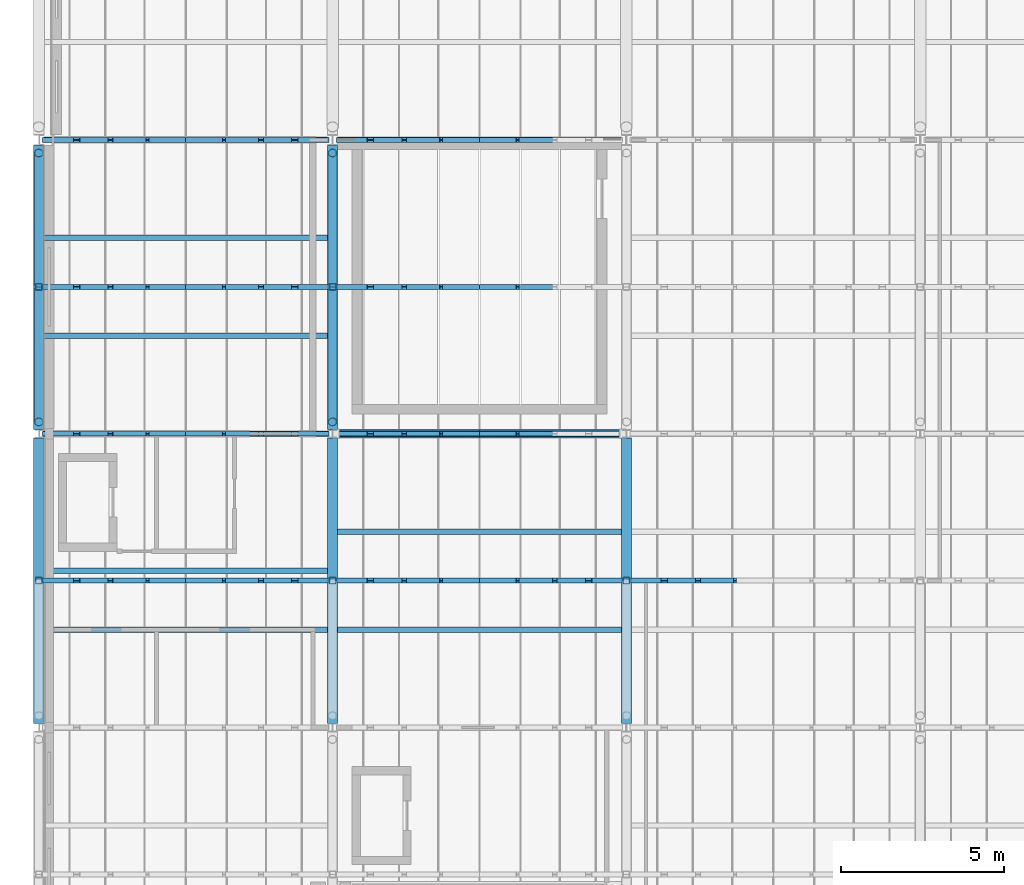
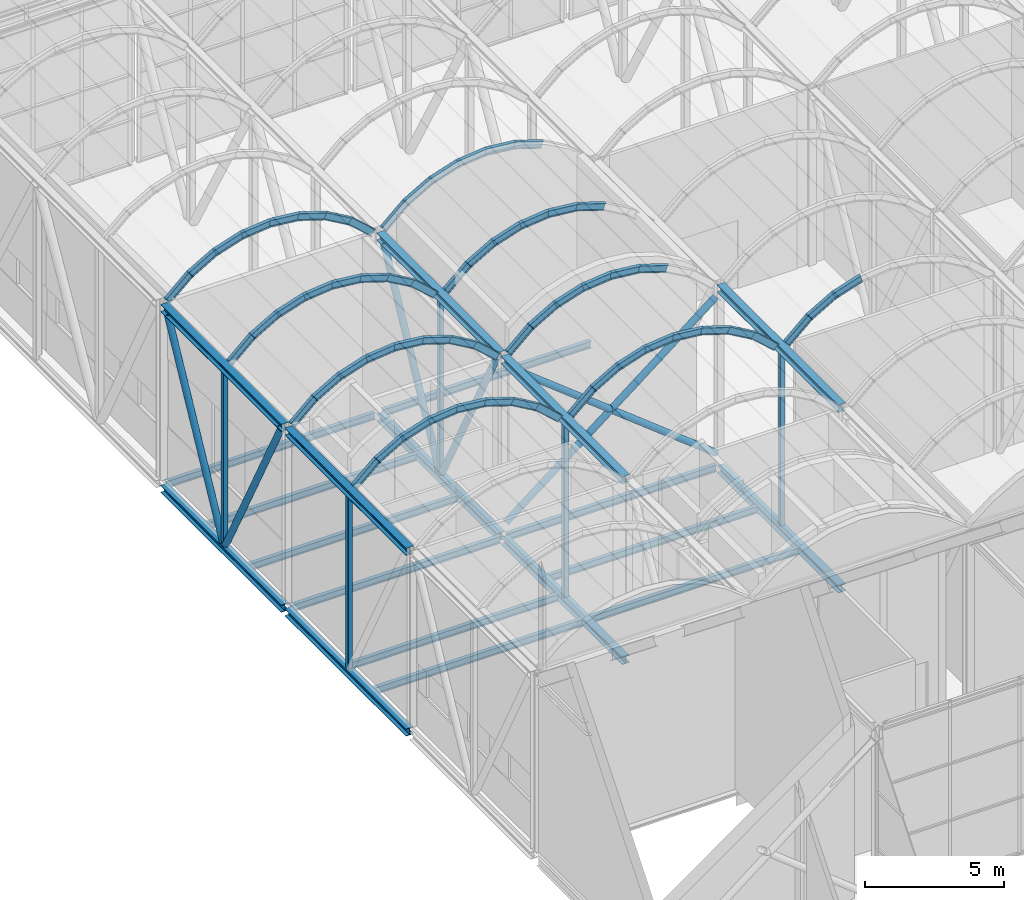
# One storey, part 96 of 144: 72 members, 20 beams.
"""IFC4 building model written with IfcOpenShell, lengths in metres."""

from ifc_helpers import new_model, si_unit, direction, frame, origin, origin_2d, place, context, subcontext, project, spatial, hollow_rectangle, hollow_circle, i_section, extrude, material, material_profile, profile_set, type_object, element, save


model = new_model("IFC4")

# Units and contexts
model_context = context("Model", 3, precision=1e-05, world=origin(), true_north=direction((0.0, 1.0)))
body_context = subcontext(model_context, "Body", "Model", "MODEL_VIEW")
ifc_project = project(units=[si_unit("LENGTHUNIT", "METRE"), si_unit("AREAUNIT", "SQUARE_METRE"), si_unit("VOLUMEUNIT", "CUBIC_METRE"), si_unit("PLANEANGLEUNIT", "RADIAN"), si_unit("MASSUNIT", "GRAM", prefix="KILO")], contexts=[model_context])

# Site, building, storey
site_placement = place(None, origin())
site = spatial("IfcSite", under=ifc_project, at=site_placement, CompositionType="ELEMENT")
building_placement = place(site_placement, origin())
building = spatial("IfcBuilding", under=site, at=building_placement, Name="Shorebreak Coast Museum", CompositionType="ELEMENT")
storey_placement = place(building_placement, frame((0.0, 0.0, 36.0)))
storey = spatial("IfcBuildingStorey", under=building, at=storey_placement, Name="L06", CompositionType="ELEMENT", Elevation=36.0)

# Beams
ifc_material_1 = material(Name="Steel Grade 300", Category="steel")
ifc_material_profile_1 = material_profile(ifc_material_1, i_section(OverallWidth=0.166015625, OverallDepth=0.30712890625, WebThickness=0.006591796875, FlangeThickness=0.01171875, FilletRadius=0.011474609375, at=origin_2d()), Name="310UB46.2")
ifc_profile_set_1 = profile_set([ifc_material_profile_1], Name="Steel Grade 300")
beam_type_1 = type_object("IfcBeamType", Name="Floor girder east-west 310UB46.2", PredefinedType="BEAM", material=ifc_profile_set_1)
for number, where, z_axis, x_axis, name in (
    (1, (54.126953125, 108.0, -0.32861328125), (1.0, 0.0, 0.0), (0.0, 1.0, 0.0), "Floor girder east-west L06 7N"),
    (2, (63.126953125, 108.0, -0.32861328125), (1.0, 0.0, 0.0), (0.0, 1.0, 0.0), "Floor girder east-west L06 8N"),
):
    element("IfcBeam", number, at=place(storey_placement, frame(where, z_axis=z_axis, x_axis=x_axis)), inside=storey, type_object=beam_type_1, Name=name, PredefinedType="BEAM", context=body_context, shape_type="SweptSolid", body=[
        extrude(i_section(OverallWidth=0.166015625, OverallDepth=0.30712890625, WebThickness=0.006591796875, FlangeThickness=0.01171875, FilletRadius=0.011474609375, at=origin_2d()), origin(), (0.0, 0.0, 1.0), 8.74609375),
    ])
for number, where, z_axis, x_axis, name in (
    (3, (54.155517578125, 117.0, -0.32861328125), (1.0, 0.0, 0.0), (0.0, 1.0, 0.0), "Floor girder east-west L06 7P"),
    (4, (63.155517578125, 117.0, -0.32861328125), (1.0, 0.0, 0.0), (0.0, 1.0, 0.0), "Floor girder east-west L06 8P"),
):
    element("IfcBeam", number, at=place(storey_placement, frame(where, z_axis=z_axis, x_axis=x_axis)), inside=storey, type_object=beam_type_1, Name=name, PredefinedType="BEAM", context=body_context, shape_type="SweptSolid", body=[
        extrude(i_section(OverallWidth=0.166015625, OverallDepth=0.30712890625, WebThickness=0.006591796875, FlangeThickness=0.01171875, FilletRadius=0.011474609375, at=origin_2d()), origin(), (0.0, 0.0, 1.0), 8.68896484375),
    ])
ifc_material_2 = material(Name="Steel Grade 300", Category="steel")
ifc_material_profile_2 = material_profile(ifc_material_2, i_section(OverallWidth=0.1650390625, OverallDepth=0.303955078125, WebThickness=0.006103515625, FlangeThickness=0.01025390625, FilletRadius=0.011474609375, at=origin_2d()), Name="310UB40.4")
ifc_profile_set_2 = profile_set([ifc_material_profile_2], Name="Steel Grade 300")
beam_type_2 = type_object("IfcBeamType", Name="Floor joist 310UB40.4", PredefinedType="JOIST", material=ifc_profile_set_2)
for number, where, z_axis, x_axis, name in (
    (5, (54.155517578125, 102.0, -0.326904296875), (1.0, 0.0, 0.0), (0.0, 1.0, 0.0), "Floor joist L06 bay 7M at 3000 mm"),
    (6, (54.155517578125, 103.800048828125, -0.326904296875), (1.0, 0.0, 0.0), (0.0, 1.0, 0.0), "Floor joist L06 bay 7M at 4800 mm"),
    (7, (63.155517578125, 102.0, -0.326904296875), (1.0, 0.0, 0.0), (0.0, 1.0, 0.0), "Floor joist L06 bay 8M at 3000 mm"),
    (8, (63.155517578125, 105.0, -0.326904296875), (1.0, 0.0, 0.0), (0.0, 1.0, 0.0), "Floor joist L06 bay 8M at 6000 mm"),
    (9, (54.155517578125, 111.0, -0.326904296875), (1.0, 0.0, 0.0), (0.0, 1.0, 0.0), "Floor joist L06 bay 7N at 3000 mm"),
    (10, (54.155517578125, 114.0, -0.326904296875), (1.0, 0.0, 0.0), (0.0, 1.0, 0.0), "Floor joist L06 bay 7N at 6000 mm"),
):
    element("IfcBeam", number, at=place(storey_placement, frame(where, z_axis=z_axis, x_axis=x_axis)), inside=storey, type_object=beam_type_2, Name=name, PredefinedType="JOIST", context=body_context, shape_type="SweptSolid", body=[
        extrude(i_section(OverallWidth=0.1650390625, OverallDepth=0.303955078125, WebThickness=0.006103515625, FlangeThickness=0.01025390625, FilletRadius=0.011474609375, at=origin_2d()), origin(), (0.0, 0.0, 1.0), 8.68896484375),
    ])
ifc_material_3 = material(Name="Steel Grade 300", Category="steel")
ifc_material_profile_3 = material_profile(ifc_material_3, i_section(OverallWidth=0.30908203125, OverallDepth=0.320556640625, WebThickness=0.013916015625, FlangeThickness=0.021728515625, FilletRadius=0.0166015625, at=origin_2d()), Name="310UC137")
ifc_profile_set_3 = profile_set([ifc_material_profile_3], Name="Steel Grade 300")
beam_type_3 = type_object("IfcBeamType", Name="Transfer truss chord 310UC137", PredefinedType="BEAM", material=ifc_profile_set_3)
beam_1_placement = place(storey_placement, frame((54.0, 99.126953125, -0.335205078125), z_axis=(0.0, 1.0, 0.0), x_axis=(-1.0, 0.0, 0.0)))
element("IfcBeam", 11, at=beam_1_placement, inside=storey, type_object=beam_type_3, Name="Transfer truss TR1 chord C06", PredefinedType="BEAM", context=body_context, shape_type="SweptSolid", body=[
    extrude(i_section(OverallWidth=0.30908203125, OverallDepth=0.320556640625, WebThickness=0.013916015625, FlangeThickness=0.021728515625, FilletRadius=0.0166015625, at=origin_2d()), origin(), (0.0, 0.0, 1.0), 8.74609375),
])
beam_2_placement = place(storey_placement, frame((54.0, 108.126953125, -0.335205078125), z_axis=(0.0, 1.0, 0.0), x_axis=(-1.0, 0.0, 0.0)))
element("IfcBeam", 12, at=beam_2_placement, inside=storey, type_object=beam_type_3, Name="Transfer truss TR1 chord C07", PredefinedType="BEAM", context=body_context, shape_type="SweptSolid", body=[
    extrude(i_section(OverallWidth=0.30908203125, OverallDepth=0.320556640625, WebThickness=0.013916015625, FlangeThickness=0.021728515625, FilletRadius=0.0166015625, at=origin_2d()), origin(), (0.0, 0.0, 1.0), 8.70947265625),
])
beam_3_placement = place(storey_placement, frame((63.0, 99.126953125, -0.335205078125), z_axis=(0.0, 1.0, 0.0), x_axis=(-1.0, 0.0, 0.0)))
element("IfcBeam", 13, at=beam_3_placement, inside=storey, type_object=beam_type_3, Name="Transfer truss TR2 chord C06", PredefinedType="BEAM", context=body_context, shape_type="SweptSolid", body=[
    extrude(i_section(OverallWidth=0.30908203125, OverallDepth=0.320556640625, WebThickness=0.013916015625, FlangeThickness=0.021728515625, FilletRadius=0.0166015625, at=origin_2d()), origin(), (0.0, 0.0, 1.0), 8.74609375),
])
beam_4_placement = place(storey_placement, frame((63.0, 108.126953125, -0.335205078125), z_axis=(0.0, 1.0, 0.0), x_axis=(-1.0, 0.0, 0.0)))
element("IfcBeam", 14, at=beam_4_placement, inside=storey, type_object=beam_type_3, Name="Transfer truss TR2 chord C07", PredefinedType="BEAM", context=body_context, shape_type="SweptSolid", body=[
    extrude(i_section(OverallWidth=0.30908203125, OverallDepth=0.320556640625, WebThickness=0.013916015625, FlangeThickness=0.021728515625, FilletRadius=0.0166015625, at=origin_2d()), origin(), (0.0, 0.0, 1.0), 8.70947265625),
])
beam_5_placement = place(storey_placement, frame((72.0, 99.126953125, -0.335205078125), z_axis=(0.0, 1.0, 0.0), x_axis=(-1.0, 0.0, 0.0)))
element("IfcBeam", 15, at=beam_5_placement, inside=storey, type_object=beam_type_3, Name="Transfer truss TR3 chord C06", PredefinedType="BEAM", context=body_context, shape_type="SweptSolid", body=[
    extrude(i_section(OverallWidth=0.30908203125, OverallDepth=0.320556640625, WebThickness=0.013916015625, FlangeThickness=0.021728515625, FilletRadius=0.0166015625, at=origin_2d()), origin(), (0.0, 0.0, 1.0), 8.74609375),
])
ifc_material_4 = material(Name="Steel Grade 300", Category="steel")
ifc_material_profile_4 = material_profile(ifc_material_4, i_section(OverallWidth=0.31103515625, OverallDepth=0.3271484375, WebThickness=0.015625, FlangeThickness=0.02490234375, FilletRadius=0.0166015625, at=origin_2d()), Name="310UC158")
ifc_profile_set_4 = profile_set([ifc_material_profile_4], Name="Steel Grade 300")
beam_type_4 = type_object("IfcBeamType", Name="Transfer truss chord 310UC158", PredefinedType="BEAM", material=ifc_profile_set_4)
beam_6_placement = place(storey_placement, frame((54.0, 99.126953125, 7.621337890625), z_axis=(0.0, 1.0, 0.0), x_axis=(-1.0, 0.0, 0.0)))
element("IfcBeam", 16, at=beam_6_placement, inside=storey, type_object=beam_type_4, Name="Transfer truss TR1 chord C10", PredefinedType="BEAM", context=body_context, shape_type="SweptSolid", body=[
    extrude(i_section(OverallWidth=0.31103515625, OverallDepth=0.3271484375, WebThickness=0.015625, FlangeThickness=0.02490234375, FilletRadius=0.0166015625, at=origin_2d()), origin(), (0.0, 0.0, 1.0), 8.74609375),
])
beam_7_placement = place(storey_placement, frame((54.0, 108.126953125, 7.621337890625), z_axis=(0.0, 1.0, 0.0), x_axis=(-1.0, 0.0, 0.0)))
element("IfcBeam", 17, at=beam_7_placement, inside=storey, type_object=beam_type_4, Name="Transfer truss TR1 chord C11", PredefinedType="BEAM", context=body_context, shape_type="SweptSolid", body=[
    extrude(i_section(OverallWidth=0.31103515625, OverallDepth=0.3271484375, WebThickness=0.015625, FlangeThickness=0.02490234375, FilletRadius=0.0166015625, at=origin_2d()), origin(), (0.0, 0.0, 1.0), 8.70947265625),
])
beam_8_placement = place(storey_placement, frame((63.0, 99.126953125, 7.621337890625), z_axis=(0.0, 1.0, 0.0), x_axis=(-1.0, 0.0, 0.0)))
element("IfcBeam", 18, at=beam_8_placement, inside=storey, type_object=beam_type_4, Name="Transfer truss TR2 chord C10", PredefinedType="BEAM", context=body_context, shape_type="SweptSolid", body=[
    extrude(i_section(OverallWidth=0.31103515625, OverallDepth=0.3271484375, WebThickness=0.015625, FlangeThickness=0.02490234375, FilletRadius=0.0166015625, at=origin_2d()), origin(), (0.0, 0.0, 1.0), 8.74609375),
])
beam_9_placement = place(storey_placement, frame((63.0, 108.126953125, 7.621337890625), z_axis=(0.0, 1.0, 0.0), x_axis=(-1.0, 0.0, 0.0)))
element("IfcBeam", 19, at=beam_9_placement, inside=storey, type_object=beam_type_4, Name="Transfer truss TR2 chord C11", PredefinedType="BEAM", context=body_context, shape_type="SweptSolid", body=[
    extrude(i_section(OverallWidth=0.31103515625, OverallDepth=0.3271484375, WebThickness=0.015625, FlangeThickness=0.02490234375, FilletRadius=0.0166015625, at=origin_2d()), origin(), (0.0, 0.0, 1.0), 8.70947265625),
])
beam_10_placement = place(storey_placement, frame((72.0, 99.126953125, 7.621337890625), z_axis=(0.0, 1.0, 0.0), x_axis=(-1.0, 0.0, 0.0)))
element("IfcBeam", 20, at=beam_10_placement, inside=storey, type_object=beam_type_4, Name="Transfer truss TR3 chord C10", PredefinedType="BEAM", context=body_context, shape_type="SweptSolid", body=[
    extrude(i_section(OverallWidth=0.31103515625, OverallDepth=0.3271484375, WebThickness=0.015625, FlangeThickness=0.02490234375, FilletRadius=0.0166015625, at=origin_2d()), origin(), (0.0, 0.0, 1.0), 8.74609375),
])

# Members
ifc_material_5 = material(Name="Steel Grade C350L0", Category="steel")
ifc_material_profile_5 = material_profile(ifc_material_5, hollow_circle(Radius=0.136474609375, WallThickness=0.00927734375, at=origin_2d()), Name="273.1x9.3 CHS")
ifc_profile_set_5 = profile_set([ifc_material_profile_5], Name="Steel Grade C350L0")
member_type_1 = type_object("IfcMemberType", Name="Transfer truss diagonal 273.1x9.3 CHS", PredefinedType="BRACE", material=ifc_profile_set_5)
member_1_placement = place(storey_placement, frame((54.0, 112.414794921875, -0.175048828125), z_axis=(0.0, -0.468802638879, 0.883302941114), x_axis=(1.0, 0.0, 0.0)))
element("IfcMember", 21, at=member_1_placement, inside=storey, type_object=member_type_1, Name="Transfer truss TR1 diagonal D13", PredefinedType="BRACE", context=body_context, shape_type="SweptSolid", body=[
    extrude(hollow_circle(Radius=0.136474609375, WallThickness=0.00927734375, at=origin_2d()), origin(), (0.0, 0.0, 1.0), 8.64111328125),
])
member_2_placement = place(storey_placement, frame((54.0, 112.584228515625, -0.175048828125), z_axis=(0.0, 0.465641431585, 0.884973478242), x_axis=(-1.0, 0.0, 0.0)))
element("IfcMember", 22, at=member_2_placement, inside=storey, type_object=member_type_1, Name="Transfer truss TR1 diagonal D14", PredefinedType="BRACE", context=body_context, shape_type="SweptSolid", body=[
    extrude(hollow_circle(Radius=0.136474609375, WallThickness=0.00927734375, at=origin_2d()), origin(), (0.0, 0.0, 1.0), 8.625),
])
member_3_placement = place(storey_placement, frame((63.0, 112.414794921875, -0.175048828125), z_axis=(0.0, -0.468802638879, 0.883302941114), x_axis=(1.0, 0.0, 0.0)))
element("IfcMember", 23, at=member_3_placement, inside=storey, type_object=member_type_1, Name="Transfer truss TR2 diagonal D13", PredefinedType="BRACE", context=body_context, shape_type="SweptSolid", body=[
    extrude(hollow_circle(Radius=0.136474609375, WallThickness=0.00927734375, at=origin_2d()), origin(), (0.0, 0.0, 1.0), 8.64111328125),
])
member_4_placement = place(storey_placement, frame((63.0, 112.584228515625, -0.175048828125), z_axis=(0.0, 0.465641431585, 0.884973478242), x_axis=(-1.0, 0.0, 0.0)))
element("IfcMember", 24, at=member_4_placement, inside=storey, type_object=member_type_1, Name="Transfer truss TR2 diagonal D14", PredefinedType="BRACE", context=body_context, shape_type="SweptSolid", body=[
    extrude(hollow_circle(Radius=0.136474609375, WallThickness=0.00927734375, at=origin_2d()), origin(), (0.0, 0.0, 1.0), 8.625),
])
ifc_material_6 = material(Name="Steel Grade C450L0", Category="steel")
ifc_material_profile_6 = material_profile(ifc_material_6, hollow_rectangle(XDim=0.199951171875, YDim=0.199951171875, WallThickness=0.009033203125, InnerFilletRadius=0.013427734375, OuterFilletRadius=0.0224609375, at=origin_2d()), Name="200x200x9.0 SHS")
ifc_profile_set_6 = profile_set([ifc_material_profile_6], Name="Steel Grade C450L0")
member_type_2 = type_object("IfcMemberType", Name="Transfer truss strut 200x200x9.0 SHS", PredefinedType="STRUT", material=ifc_profile_set_6)
for number, where, z_axis, x_axis, name in (
    (25, (54.0, 103.5, -0.175048828125), (0.0, 0.0, 1.0), (1.0, 0.0, 0.0), "Transfer truss TR1 strut V09"),
    (26, (54.0, 112.5, -0.175048828125), (0.0, 0.0, 1.0), (1.0, 0.0, 0.0), "Transfer truss TR1 strut V10"),
    (27, (63.0, 103.5, -0.175048828125), (0.0, 0.0, 1.0), (1.0, 0.0, 0.0), "Transfer truss TR2 strut V09"),
    (28, (63.0, 112.5, -0.175048828125), (0.0, 0.0, 1.0), (1.0, 0.0, 0.0), "Transfer truss TR2 strut V10"),
    (29, (72.0, 103.5, -0.175048828125), (0.0, 0.0, 1.0), (1.0, 0.0, 0.0), "Transfer truss TR3 strut V09"),
):
    element("IfcMember", number, at=place(storey_placement, frame(where, z_axis=z_axis, x_axis=x_axis)), inside=storey, type_object=member_type_2, Name=name, PredefinedType="STRUT", context=body_context, shape_type="SweptSolid", body=[
        extrude(hollow_rectangle(XDim=0.199951171875, YDim=0.199951171875, WallThickness=0.009033203125, InnerFilletRadius=0.013427734375, OuterFilletRadius=0.0224609375, at=origin_2d()), origin(), (0.0, 0.0, 1.0), 7.6328125),
    ])
ifc_material_7 = material(Name="Steel Grade 300", Category="steel")
ifc_material_profile_7 = material_profile(ifc_material_7, i_section(OverallWidth=0.14892578125, OverallDepth=0.298095703125, WebThickness=0.005615234375, FlangeThickness=0.008056640625, FilletRadius=0.012939453125, at=origin_2d()), Name="310UB32.0")
ifc_profile_set_7 = profile_set([ifc_material_profile_7], Name="Steel Grade 300")
member_type_3 = type_object("IfcMemberType", Name="Vault arch rib 310UB32.0", PredefinedType="RAFTER", material=ifc_profile_set_7)
for number, where, z_axis, x_axis, name in (
    (30, (54.21240234375, 103.5, 7.7216796875), (0.743894909598, 0.0, 0.668296613394), (0.0, 1.0, 0.0), "Vault arch rib V1 line 03 facet 1"),
    (31, (54.21240234375, 108.0, 7.7216796875), (0.743894909598, 0.0, 0.668296613394), (0.0, 1.0, 0.0), "Vault arch rib V1 line 04 facet 1"),
    (32, (54.21240234375, 112.5, 7.7216796875), (0.743894909598, 0.0, 0.668296613394), (0.0, 1.0, 0.0), "Vault arch rib V1 line 05 facet 1"),
    (33, (54.21240234375, 117.0, 7.7216796875), (0.743894909598, 0.0, 0.668296613394), (0.0, 1.0, 0.0), "Vault arch rib V1 line 06 facet 1"),
):
    element("IfcMember", number, at=place(storey_placement, frame(where, z_axis=z_axis, x_axis=x_axis)), inside=storey, type_object=member_type_3, Name=name, PredefinedType="RAFTER", context=body_context, shape_type="SweptSolid", body=[
        extrude(i_section(OverallWidth=0.14892578125, OverallDepth=0.298095703125, WebThickness=0.005615234375, FlangeThickness=0.008056640625, FilletRadius=0.012939453125, at=origin_2d()), origin(), (0.0, 0.0, 1.0), 1.2724609375),
    ])
for number, where, z_axis, x_axis, name in (
    (34, (55.1337890625, 103.5, 8.5537109375), (0.866444596228, 0.0, 0.499273233478), (0.0, 1.0, 0.0), "Vault arch rib V1 line 03 facet 2"),
    (35, (55.1337890625, 108.0, 8.5537109375), (0.866444596228, 0.0, 0.499273233478), (0.0, 1.0, 0.0), "Vault arch rib V1 line 04 facet 2"),
    (36, (55.1337890625, 112.5, 8.5537109375), (0.866444596228, 0.0, 0.499273233478), (0.0, 1.0, 0.0), "Vault arch rib V1 line 05 facet 2"),
    (37, (55.1337890625, 117.0, 8.5537109375), (0.866444596228, 0.0, 0.499273233478), (0.0, 1.0, 0.0), "Vault arch rib V1 line 06 facet 2"),
    (38, (56.165283203125, 103.5, 9.152099609375), (0.951225984169, 0.0, 0.308494938436), (0.0, 1.0, 0.0), "Vault arch rib V1 line 03 facet 3"),
    (39, (56.165283203125, 108.0, 9.152099609375), (0.951225984169, 0.0, 0.308494938436), (0.0, 1.0, 0.0), "Vault arch rib V1 line 04 facet 3"),
    (40, (56.165283203125, 112.5, 9.152099609375), (0.951225984169, 0.0, 0.308494938436), (0.0, 1.0, 0.0), "Vault arch rib V1 line 05 facet 3"),
    (41, (56.165283203125, 117.0, 9.152099609375), (0.951225984169, 0.0, 0.308494938436), (0.0, 1.0, 0.0), "Vault arch rib V1 line 06 facet 3"),
    (42, (57.298828125, 103.5, 9.52294921875), (0.994539296345, 0.0, 0.104362771266), (0.0, 1.0, 0.0), "Vault arch rib V1 line 03 facet 4"),
    (43, (57.298828125, 108.0, 9.52294921875), (0.994539296345, 0.0, 0.104362771266), (0.0, 1.0, 0.0), "Vault arch rib V1 line 04 facet 4"),
    (44, (57.298828125, 112.5, 9.52294921875), (0.994539296345, 0.0, 0.104362771266), (0.0, 1.0, 0.0), "Vault arch rib V1 line 05 facet 4"),
    (45, (57.298828125, 117.0, 9.52294921875), (0.994539296345, 0.0, 0.104362771266), (0.0, 1.0, 0.0), "Vault arch rib V1 line 06 facet 4"),
    (46, (58.484375, 103.5, 9.650634765625), (0.994539296345, 0.0, -0.104362771266), (0.0, 1.0, 0.0), "Vault arch rib V1 line 03 facet 5"),
    (47, (58.484375, 108.0, 9.650634765625), (0.994539296345, 0.0, -0.104362771266), (0.0, 1.0, 0.0), "Vault arch rib V1 line 04 facet 5"),
    (48, (58.484375, 112.5, 9.650634765625), (0.994539296345, 0.0, -0.104362771266), (0.0, 1.0, 0.0), "Vault arch rib V1 line 05 facet 5"),
    (49, (58.484375, 117.0, 9.650634765625), (0.994539296345, 0.0, -0.104362771266), (0.0, 1.0, 0.0), "Vault arch rib V1 line 06 facet 5"),
    (50, (59.6708984375, 103.5, 9.529541015625), (0.951225984169, 0.0, -0.308494938436), (0.0, 1.0, 0.0), "Vault arch rib V1 line 03 facet 6"),
    (51, (59.6708984375, 108.0, 9.529541015625), (0.951225984169, 0.0, -0.308494938436), (0.0, 1.0, 0.0), "Vault arch rib V1 line 04 facet 6"),
    (52, (59.6708984375, 112.5, 9.529541015625), (0.951225984169, 0.0, -0.308494938436), (0.0, 1.0, 0.0), "Vault arch rib V1 line 05 facet 6"),
    (53, (59.6708984375, 117.0, 9.529541015625), (0.951225984169, 0.0, -0.308494938436), (0.0, 1.0, 0.0), "Vault arch rib V1 line 06 facet 6"),
    (54, (60.80615234375, 103.5, 9.16455078125), (0.866444596228, 0.0, -0.499273233478), (0.0, 1.0, 0.0), "Vault arch rib V1 line 03 facet 7"),
    (55, (60.80615234375, 108.0, 9.16455078125), (0.866444596228, 0.0, -0.499273233478), (0.0, 1.0, 0.0), "Vault arch rib V1 line 04 facet 7"),
    (56, (60.80615234375, 112.5, 9.16455078125), (0.866444596228, 0.0, -0.499273233478), (0.0, 1.0, 0.0), "Vault arch rib V1 line 05 facet 7"),
    (57, (60.80615234375, 117.0, 9.16455078125), (0.866444596228, 0.0, -0.499273233478), (0.0, 1.0, 0.0), "Vault arch rib V1 line 06 facet 7"),
):
    element("IfcMember", number, at=place(storey_placement, frame(where, z_axis=z_axis, x_axis=x_axis)), inside=storey, type_object=member_type_3, Name=name, PredefinedType="RAFTER", context=body_context, shape_type="SweptSolid", body=[
        extrude(i_section(OverallWidth=0.14892578125, OverallDepth=0.298095703125, WebThickness=0.005615234375, FlangeThickness=0.008056640625, FilletRadius=0.012939453125, at=origin_2d()), origin(), (0.0, 0.0, 1.0), 1.223388671875),
    ])
for number, where, z_axis, x_axis, name in (
    (58, (61.841064453125, 103.5, 8.572021484375), (0.743894909598, 0.0, -0.668296613394), (0.0, 1.0, 0.0), "Vault arch rib V1 line 03 facet 8"),
    (59, (61.841064453125, 108.0, 8.572021484375), (0.743894909598, 0.0, -0.668296613394), (0.0, 1.0, 0.0), "Vault arch rib V1 line 04 facet 8"),
    (60, (61.841064453125, 112.5, 8.572021484375), (0.743894909598, 0.0, -0.668296613394), (0.0, 1.0, 0.0), "Vault arch rib V1 line 05 facet 8"),
    (61, (61.841064453125, 117.0, 8.572021484375), (0.743894909598, 0.0, -0.668296613394), (0.0, 1.0, 0.0), "Vault arch rib V1 line 06 facet 8"),
    (62, (63.21240234375, 103.5, 7.7216796875), (0.743894909598, 0.0, 0.668296613394), (0.0, 1.0, 0.0), "Vault arch rib V2 line 03 facet 1"),
    (63, (63.21240234375, 108.0, 7.7216796875), (0.743894909598, 0.0, 0.668296613394), (0.0, 1.0, 0.0), "Vault arch rib V2 line 04 facet 1"),
    (64, (63.21240234375, 112.5, 7.7216796875), (0.743894909598, 0.0, 0.668296613394), (0.0, 1.0, 0.0), "Vault arch rib V2 line 05 facet 1"),
    (65, (63.21240234375, 117.0, 7.7216796875), (0.743894909598, 0.0, 0.668296613394), (0.0, 1.0, 0.0), "Vault arch rib V2 line 06 facet 1"),
):
    element("IfcMember", number, at=place(storey_placement, frame(where, z_axis=z_axis, x_axis=x_axis)), inside=storey, type_object=member_type_3, Name=name, PredefinedType="RAFTER", context=body_context, shape_type="SweptSolid", body=[
        extrude(i_section(OverallWidth=0.14892578125, OverallDepth=0.298095703125, WebThickness=0.005615234375, FlangeThickness=0.008056640625, FilletRadius=0.012939453125, at=origin_2d()), origin(), (0.0, 0.0, 1.0), 1.2724609375),
    ])
for number, where, z_axis, x_axis, name in (
    (66, (64.1337890625, 103.5, 8.5537109375), (0.866444596228, 0.0, 0.499273233478), (0.0, 1.0, 0.0), "Vault arch rib V2 line 03 facet 2"),
    (67, (64.1337890625, 108.0, 8.5537109375), (0.866444596228, 0.0, 0.499273233478), (0.0, 1.0, 0.0), "Vault arch rib V2 line 04 facet 2"),
    (68, (64.1337890625, 112.5, 8.5537109375), (0.866444596228, 0.0, 0.499273233478), (0.0, 1.0, 0.0), "Vault arch rib V2 line 05 facet 2"),
    (69, (64.1337890625, 117.0, 8.5537109375), (0.866444596228, 0.0, 0.499273233478), (0.0, 1.0, 0.0), "Vault arch rib V2 line 06 facet 2"),
    (70, (65.165283203125, 103.5, 9.152099609375), (0.951225984169, 0.0, 0.308494938436), (0.0, 1.0, 0.0), "Vault arch rib V2 line 03 facet 3"),
    (71, (65.165283203125, 108.0, 9.152099609375), (0.951225984169, 0.0, 0.308494938436), (0.0, 1.0, 0.0), "Vault arch rib V2 line 04 facet 3"),
    (72, (65.165283203125, 112.5, 9.152099609375), (0.951225984169, 0.0, 0.308494938436), (0.0, 1.0, 0.0), "Vault arch rib V2 line 05 facet 3"),
    (73, (65.165283203125, 117.0, 9.152099609375), (0.951225984169, 0.0, 0.308494938436), (0.0, 1.0, 0.0), "Vault arch rib V2 line 06 facet 3"),
    (74, (66.298828125, 103.5, 9.52294921875), (0.994539296345, 0.0, 0.104362771266), (0.0, 1.0, 0.0), "Vault arch rib V2 line 03 facet 4"),
    (75, (66.298828125, 108.0, 9.52294921875), (0.994539296345, 0.0, 0.104362771266), (0.0, 1.0, 0.0), "Vault arch rib V2 line 04 facet 4"),
    (76, (66.298828125, 112.5, 9.52294921875), (0.994539296345, 0.0, 0.104362771266), (0.0, 1.0, 0.0), "Vault arch rib V2 line 05 facet 4"),
    (77, (66.298828125, 117.0, 9.52294921875), (0.994539296345, 0.0, 0.104362771266), (0.0, 1.0, 0.0), "Vault arch rib V2 line 06 facet 4"),
    (78, (67.484375, 103.5, 9.650634765625), (0.994539296345, 0.0, -0.104362771266), (0.0, 1.0, 0.0), "Vault arch rib V2 line 03 facet 5"),
    (79, (67.484375, 108.0, 9.650634765625), (0.994539296345, 0.0, -0.104362771266), (0.0, 1.0, 0.0), "Vault arch rib V2 line 04 facet 5"),
    (80, (67.484375, 112.5, 9.650634765625), (0.994539296345, 0.0, -0.104362771266), (0.0, 1.0, 0.0), "Vault arch rib V2 line 05 facet 5"),
    (81, (67.484375, 117.0, 9.650634765625), (0.994539296345, 0.0, -0.104362771266), (0.0, 1.0, 0.0), "Vault arch rib V2 line 06 facet 5"),
    (82, (68.6708984375, 103.5, 9.529541015625), (0.951225984169, 0.0, -0.308494938436), (0.0, 1.0, 0.0), "Vault arch rib V2 line 03 facet 6"),
    (83, (68.6708984375, 108.0, 9.529541015625), (0.951225984169, 0.0, -0.308494938436), (0.0, 1.0, 0.0), "Vault arch rib V2 line 04 facet 6"),
    (84, (68.6708984375, 112.5, 9.529541015625), (0.951225984169, 0.0, -0.308494938436), (0.0, 1.0, 0.0), "Vault arch rib V2 line 05 facet 6"),
    (85, (68.6708984375, 117.0, 9.529541015625), (0.951225984169, 0.0, -0.308494938436), (0.0, 1.0, 0.0), "Vault arch rib V2 line 06 facet 6"),
    (86, (69.80615234375, 103.5, 9.16455078125), (0.866444596228, 0.0, -0.499273233478), (0.0, 1.0, 0.0), "Vault arch rib V2 line 03 facet 7"),
):
    element("IfcMember", number, at=place(storey_placement, frame(where, z_axis=z_axis, x_axis=x_axis)), inside=storey, type_object=member_type_3, Name=name, PredefinedType="RAFTER", context=body_context, shape_type="SweptSolid", body=[
        extrude(i_section(OverallWidth=0.14892578125, OverallDepth=0.298095703125, WebThickness=0.005615234375, FlangeThickness=0.008056640625, FilletRadius=0.012939453125, at=origin_2d()), origin(), (0.0, 0.0, 1.0), 1.223388671875),
    ])
for number, where, z_axis, x_axis, name in (
    (87, (70.841064453125, 103.5, 8.572021484375), (0.743894909598, 0.0, -0.668296613394), (0.0, 1.0, 0.0), "Vault arch rib V2 line 03 facet 8"),
    (88, (72.21240234375, 103.5, 7.7216796875), (0.743894909598, 0.0, 0.668296613394), (0.0, 1.0, 0.0), "Vault arch rib V3 line 03 facet 1"),
):
    element("IfcMember", number, at=place(storey_placement, frame(where, z_axis=z_axis, x_axis=x_axis)), inside=storey, type_object=member_type_3, Name=name, PredefinedType="RAFTER", context=body_context, shape_type="SweptSolid", body=[
        extrude(i_section(OverallWidth=0.14892578125, OverallDepth=0.298095703125, WebThickness=0.005615234375, FlangeThickness=0.008056640625, FilletRadius=0.012939453125, at=origin_2d()), origin(), (0.0, 0.0, 1.0), 1.2724609375),
    ])
for number, where, z_axis, x_axis, name in (
    (89, (73.1337890625, 103.5, 8.5537109375), (0.866444596228, 0.0, 0.499273233478), (0.0, 1.0, 0.0), "Vault arch rib V3 line 03 facet 2"),
    (90, (74.165283203125, 103.5, 9.152099609375), (0.951225984169, 0.0, 0.308494938436), (0.0, 1.0, 0.0), "Vault arch rib V3 line 03 facet 3"),
):
    element("IfcMember", number, at=place(storey_placement, frame(where, z_axis=z_axis, x_axis=x_axis)), inside=storey, type_object=member_type_3, Name=name, PredefinedType="RAFTER", context=body_context, shape_type="SweptSolid", body=[
        extrude(i_section(OverallWidth=0.14892578125, OverallDepth=0.298095703125, WebThickness=0.005615234375, FlangeThickness=0.008056640625, FilletRadius=0.012939453125, at=origin_2d()), origin(), (0.0, 0.0, 1.0), 1.223388671875),
    ])
ifc_material_8 = material(Name="Steel Grade C350L0", Category="steel")
ifc_material_profile_8 = material_profile(ifc_material_8, hollow_circle(Radius=0.136474609375, WallThickness=0.00927734375, at=origin_2d()), Name="273.1x9.3 CHS")
ifc_profile_set_8 = profile_set([ifc_material_profile_8], Name="Steel Grade C350L0")
member_type_4 = type_object("IfcMemberType", Name="X-brace 273.1x9.3 CHS", PredefinedType="BRACE", material=ifc_profile_set_8)
for number, where, z_axis, x_axis, name in (
    (91, (63.126953125, 108.0, 0.300048828125), (0.785928408852, 0.0, 0.618317504329), (0.0, 1.0, 0.0), "X-brace bay 09 L06 diagonal 1"),
    (92, (71.873046875, 108.0, 0.300048828125), (-0.785928408852, 0.0, 0.618317504329), (0.0, -1.0, 0.0), "X-brace bay 09 L06 diagonal 2"),
):
    element("IfcMember", number, at=place(storey_placement, frame(where, z_axis=z_axis, x_axis=x_axis)), inside=storey, type_object=member_type_4, Name=name, PredefinedType="BRACE", context=body_context, shape_type="SweptSolid", body=[
        extrude(hollow_circle(Radius=0.136474609375, WallThickness=0.00927734375, at=origin_2d()), origin(), (0.0, 0.0, 1.0), 11.12841796875),
    ])

save(model, "model.ifc")
